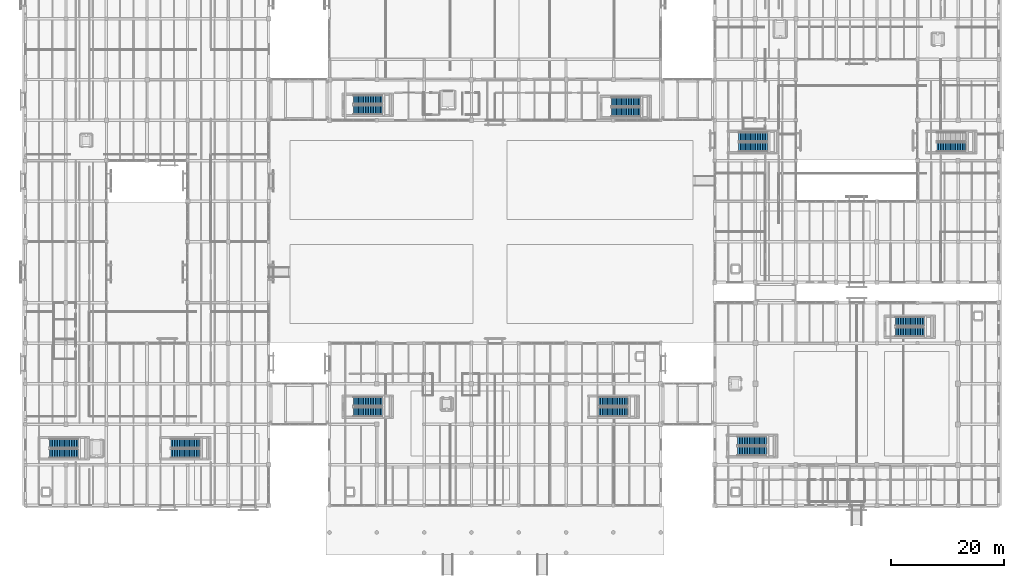
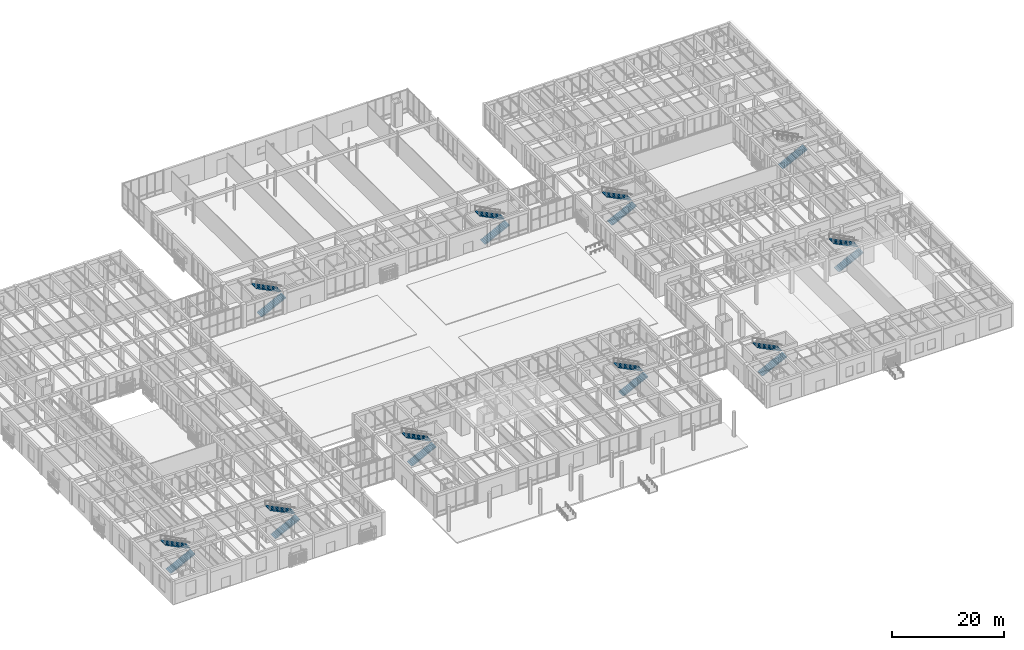
# One storey, part 134 of 169: 19 stair flights, 10 elements without a shape of their own.
"""IFC4 building model written with IfcOpenShell, lengths in metres."""

from ifc_helpers import new_model, si_unit, direction, frame, origin, place, context, subcontext, project, spatial, polyline, outline, extrude, material, type_object, element, aggregate, save


model = new_model("IFC4")

# Units and contexts
model_context = context("Model", 3, precision=1e-05, world=origin(), true_north=direction((0.0, 1.0)))
body_context = subcontext(model_context, "Body", "Model", "MODEL_VIEW")
ifc_project = project(units=[si_unit("LENGTHUNIT", "METRE"), si_unit("AREAUNIT", "SQUARE_METRE"), si_unit("VOLUMEUNIT", "CUBIC_METRE"), si_unit("PLANEANGLEUNIT", "RADIAN"), si_unit("MASSUNIT", "GRAM", prefix="KILO")], contexts=[model_context])

# Site, building, storey
site_placement = place(None, origin())
site = spatial("IfcSite", under=ifc_project, at=site_placement, CompositionType="ELEMENT")
building_placement = place(site_placement, origin())
building = spatial("IfcBuilding", under=site, at=building_placement, Name="Mazaris Harbour Polytechnic", CompositionType="ELEMENT")
storey_placement = place(building_placement, origin())
storey = spatial("IfcBuildingStorey", under=building, at=storey_placement, Name="L00", CompositionType="ELEMENT", Elevation=0.0)

# Stair, stair flights
ifc_material_1 = material(Name="Concrete C40/50", Category="concrete")
stair_type = type_object("IfcStairType", Name="Core Exit Stair H5400", PredefinedType="HALF_TURN_STAIR", material=ifc_material_1)
stair_1_placement = place(storey_placement, origin())
stair_1 = element("IfcStair", 1, at=stair_1_placement, inside=storey, type_object=stair_type, Name="L00 ST01", PredefinedType="HALF_TURN_STAIR")
ifc_material_2 = material(Name="Concrete C40/50", Category="concrete")
stair_flight_type = type_object("IfcStairFlightType", Name="RC Stair Flight W1650", PredefinedType="STRAIGHT", material=ifc_material_2)
stair_flight_1_placement = place(storey_placement, frame((58.25, 77.425048828125, 0.0), z_axis=(0.0, 0.0, 1.0), x_axis=(1.0, 0.0, 0.0)))
stair_flight_1 = element("IfcStairFlight", 2, at=stair_flight_1_placement, type_object=stair_flight_type, Name="ST01 flight 1", NumberOfRisers=18, NumberOfTreads=17, PredefinedType="STRAIGHT", RiserHeight=0.15, TreadLength=0.3, context=body_context, shape_type="SweptSolid", body=[
    extrude(outline(polyline([(0.0, 0.0), (0.0, 0.14990234375), (0.300048828125, 0.14990234375), (0.300048828125, 0.300048828125), (0.60009765625, 0.300048828125), (0.60009765625, 0.449951171875), (0.89990234375, 0.449951171875), (0.89990234375, 0.60009765625), (1.199951171875, 0.60009765625), (1.199951171875, 0.75), (1.5, 0.75), (1.5, 0.89990234375), (1.800048828125, 0.89990234375), (1.800048828125, 1.050048828125), (2.10009765625, 1.050048828125), (2.10009765625, 1.199951171875), (2.39990234375, 1.199951171875), (2.39990234375, 1.35009765625), (2.699951171875, 1.35009765625), (2.699951171875, 1.5), (3.0, 1.5), (3.0, 1.64990234375), (3.300048828125, 1.64990234375), (3.300048828125, 1.800048828125), (3.60009765625, 1.800048828125), (3.60009765625, 1.949951171875), (3.89990234375, 1.949951171875), (3.89990234375, 2.10009765625), (4.199951171875, 2.10009765625), (4.199951171875, 2.25), (4.5, 2.25), (4.5, 2.39990234375), (4.800048828125, 2.39990234375), (4.800048828125, 2.550048828125), (5.10009765625, 2.550048828125), (5.10009765625, 2.699951171875), (5.10009765625, 2.348876953125), (0.40234375, 0.0), (0.0, 0.0)])), frame((0.0, 0.824951171875, 0.0), z_axis=(0.0, -1.0, 0.0), x_axis=(1.0, 0.0, 0.0)), (0.0, 0.0, 1.0), 1.64990234375),
])
stair_flight_2_placement = place(storey_placement, frame((63.35009765625, 79.22509765625, 2.699951171875), z_axis=(0.0, 0.0, 1.0), x_axis=(-1.0, 0.0, 0.0)))
stair_flight_2 = element("IfcStairFlight", 3, at=stair_flight_2_placement, type_object=stair_flight_type, Name="ST01 flight 2", NumberOfRisers=18, NumberOfTreads=17, PredefinedType="STRAIGHT", RiserHeight=0.15, TreadLength=0.3, context=body_context, shape_type="SweptSolid", body=[
    extrude(outline(polyline([(0.0, 0.0), (0.0, 0.14990234375), (0.300048828125, 0.14990234375), (0.300048828125, 0.300048828125), (0.60009765625, 0.300048828125), (0.60009765625, 0.449951171875), (0.89990234375, 0.449951171875), (0.89990234375, 0.60009765625), (1.199951171875, 0.60009765625), (1.199951171875, 0.75), (1.5, 0.75), (1.5, 0.89990234375), (1.800048828125, 0.89990234375), (1.800048828125, 1.050048828125), (2.10009765625, 1.050048828125), (2.10009765625, 1.199951171875), (2.39990234375, 1.199951171875), (2.39990234375, 1.35009765625), (2.699951171875, 1.35009765625), (2.699951171875, 1.5), (3.0, 1.5), (3.0, 1.64990234375), (3.300048828125, 1.64990234375), (3.300048828125, 1.800048828125), (3.60009765625, 1.800048828125), (3.60009765625, 1.949951171875), (3.89990234375, 1.949951171875), (3.89990234375, 2.10009765625), (4.199951171875, 2.10009765625), (4.199951171875, 2.25), (4.5, 2.25), (4.5, 2.39990234375), (4.800048828125, 2.39990234375), (4.800048828125, 2.550048828125), (5.10009765625, 2.550048828125), (5.10009765625, 2.699951171875), (5.10009765625, 2.348876953125), (0.40234375, 0.0), (0.0, 0.0)])), frame((0.0, 0.824951171875, 0.0), z_axis=(0.0, -1.0, 0.0), x_axis=(1.0, 0.0, 0.0)), (0.0, 0.0, 1.0), 1.64990234375),
])
aggregate(stair_1, [stair_flight_1, stair_flight_2])

stair_2_placement = place(storey_placement, origin())
stair_2 = element("IfcStair", 4, at=stair_2_placement, inside=storey, type_object=stair_type, Name="L00 ST02", PredefinedType="HALF_TURN_STAIR")
stair_flight_3_placement = place(storey_placement, frame((104.050048828125, 77.02490234375, 0.0), z_axis=(0.0, 0.0, 1.0), x_axis=(1.0, 0.0, 0.0)))
stair_flight_3 = element("IfcStairFlight", 5, at=stair_flight_3_placement, type_object=stair_flight_type, Name="ST02 flight 1", NumberOfRisers=18, NumberOfTreads=17, PredefinedType="STRAIGHT", RiserHeight=0.15, TreadLength=0.3, context=body_context, shape_type="SweptSolid", body=[
    extrude(outline(polyline([(0.0, 0.0), (0.0, 0.14990234375), (0.300048828125, 0.14990234375), (0.300048828125, 0.300048828125), (0.60009765625, 0.300048828125), (0.60009765625, 0.449951171875), (0.89990234375, 0.449951171875), (0.89990234375, 0.60009765625), (1.199951171875, 0.60009765625), (1.199951171875, 0.75), (1.5, 0.75), (1.5, 0.89990234375), (1.800048828125, 0.89990234375), (1.800048828125, 1.050048828125), (2.10009765625, 1.050048828125), (2.10009765625, 1.199951171875), (2.39990234375, 1.199951171875), (2.39990234375, 1.35009765625), (2.699951171875, 1.35009765625), (2.699951171875, 1.5), (3.0, 1.5), (3.0, 1.64990234375), (3.300048828125, 1.64990234375), (3.300048828125, 1.800048828125), (3.60009765625, 1.800048828125), (3.60009765625, 1.949951171875), (3.89990234375, 1.949951171875), (3.89990234375, 2.10009765625), (4.199951171875, 2.10009765625), (4.199951171875, 2.25), (4.5, 2.25), (4.5, 2.39990234375), (4.800048828125, 2.39990234375), (4.800048828125, 2.550048828125), (5.10009765625, 2.550048828125), (5.10009765625, 2.699951171875), (5.10009765625, 2.348876953125), (0.40234375, 0.0), (0.0, 0.0)])), frame((0.0, 0.824951171875, 0.0), z_axis=(0.0, -1.0, 0.0), x_axis=(1.0, 0.0, 0.0)), (0.0, 0.0, 1.0), 1.64990234375),
])
stair_flight_4_placement = place(storey_placement, frame((109.14990234375, 78.824951171875, 2.699951171875), z_axis=(0.0, 0.0, 1.0), x_axis=(-1.0, 0.0, 0.0)))
stair_flight_4 = element("IfcStairFlight", 6, at=stair_flight_4_placement, type_object=stair_flight_type, Name="ST02 flight 2", NumberOfRisers=18, NumberOfTreads=17, PredefinedType="STRAIGHT", RiserHeight=0.15, TreadLength=0.3, context=body_context, shape_type="SweptSolid", body=[
    extrude(outline(polyline([(0.0, 0.0), (0.0, 0.14990234375), (0.300048828125, 0.14990234375), (0.300048828125, 0.300048828125), (0.60009765625, 0.300048828125), (0.60009765625, 0.449951171875), (0.89990234375, 0.449951171875), (0.89990234375, 0.60009765625), (1.199951171875, 0.60009765625), (1.199951171875, 0.75), (1.5, 0.75), (1.5, 0.89990234375), (1.800048828125, 0.89990234375), (1.800048828125, 1.050048828125), (2.10009765625, 1.050048828125), (2.10009765625, 1.199951171875), (2.39990234375, 1.199951171875), (2.39990234375, 1.35009765625), (2.699951171875, 1.35009765625), (2.699951171875, 1.5), (3.0, 1.5), (3.0, 1.64990234375), (3.300048828125, 1.64990234375), (3.300048828125, 1.800048828125), (3.60009765625, 1.800048828125), (3.60009765625, 1.949951171875), (3.89990234375, 1.949951171875), (3.89990234375, 2.10009765625), (4.199951171875, 2.10009765625), (4.199951171875, 2.25), (4.5, 2.25), (4.5, 2.39990234375), (4.800048828125, 2.39990234375), (4.800048828125, 2.550048828125), (5.10009765625, 2.550048828125), (5.10009765625, 2.699951171875), (5.10009765625, 2.348876953125), (0.40234375, 0.0), (0.0, 0.0)])), frame((0.0, 0.824951171875, 0.0), z_axis=(0.0, -1.0, 0.0), x_axis=(1.0, 0.0, 0.0)), (0.0, 0.0, 1.0), 1.64990234375),
])
aggregate(stair_2, [stair_flight_3, stair_flight_4])

stair_3_placement = place(storey_placement, origin())
stair_3 = element("IfcStair", 7, at=stair_3_placement, inside=storey, type_object=stair_type, Name="L00 ST03", PredefinedType="HALF_TURN_STAIR")
stair_flight_5_placement = place(storey_placement, frame((126.449951171875, 16.824951171875, 0.0), z_axis=(0.0, 0.0, 1.0), x_axis=(1.0, 0.0, 0.0)))
stair_flight_5 = element("IfcStairFlight", 8, at=stair_flight_5_placement, type_object=stair_flight_type, Name="ST03 flight 1", NumberOfRisers=18, NumberOfTreads=17, PredefinedType="STRAIGHT", RiserHeight=0.15, TreadLength=0.3, context=body_context, shape_type="SweptSolid", body=[
    extrude(outline(polyline([(0.0, 0.0), (0.0, 0.14990234375), (0.300048828125, 0.14990234375), (0.300048828125, 0.300048828125), (0.60009765625, 0.300048828125), (0.60009765625, 0.449951171875), (0.89990234375, 0.449951171875), (0.89990234375, 0.60009765625), (1.199951171875, 0.60009765625), (1.199951171875, 0.75), (1.5, 0.75), (1.5, 0.89990234375), (1.800048828125, 0.89990234375), (1.800048828125, 1.050048828125), (2.10009765625, 1.050048828125), (2.10009765625, 1.199951171875), (2.39990234375, 1.199951171875), (2.39990234375, 1.35009765625), (2.699951171875, 1.35009765625), (2.699951171875, 1.5), (3.0, 1.5), (3.0, 1.64990234375), (3.300048828125, 1.64990234375), (3.300048828125, 1.800048828125), (3.60009765625, 1.800048828125), (3.60009765625, 1.949951171875), (3.89990234375, 1.949951171875), (3.89990234375, 2.10009765625), (4.199951171875, 2.10009765625), (4.199951171875, 2.25), (4.5, 2.25), (4.5, 2.39990234375), (4.800048828125, 2.39990234375), (4.800048828125, 2.550048828125), (5.10009765625, 2.550048828125), (5.10009765625, 2.699951171875), (5.10009765625, 2.348876953125), (0.40234375, 0.0), (0.0, 0.0)])), frame((0.0, 0.824951171875, 0.0), z_axis=(0.0, -1.0, 0.0), x_axis=(1.0, 0.0, 0.0)), (0.0, 0.0, 1.0), 1.64990234375),
])
stair_flight_6_placement = place(storey_placement, frame((131.550048828125, 18.625, 2.699951171875), z_axis=(0.0, 0.0, 1.0), x_axis=(-1.0, 0.0, 0.0)))
stair_flight_6 = element("IfcStairFlight", 9, at=stair_flight_6_placement, type_object=stair_flight_type, Name="ST03 flight 2", NumberOfRisers=18, NumberOfTreads=17, PredefinedType="STRAIGHT", RiserHeight=0.15, TreadLength=0.3, context=body_context, shape_type="SweptSolid", body=[
    extrude(outline(polyline([(0.0, 0.0), (0.0, 0.14990234375), (0.300048828125, 0.14990234375), (0.300048828125, 0.300048828125), (0.60009765625, 0.300048828125), (0.60009765625, 0.449951171875), (0.89990234375, 0.449951171875), (0.89990234375, 0.60009765625), (1.199951171875, 0.60009765625), (1.199951171875, 0.75), (1.5, 0.75), (1.5, 0.89990234375), (1.800048828125, 0.89990234375), (1.800048828125, 1.050048828125), (2.10009765625, 1.050048828125), (2.10009765625, 1.199951171875), (2.39990234375, 1.199951171875), (2.39990234375, 1.35009765625), (2.699951171875, 1.35009765625), (2.699951171875, 1.5), (3.0, 1.5), (3.0, 1.64990234375), (3.300048828125, 1.64990234375), (3.300048828125, 1.800048828125), (3.60009765625, 1.800048828125), (3.60009765625, 1.949951171875), (3.89990234375, 1.949951171875), (3.89990234375, 2.10009765625), (4.199951171875, 2.10009765625), (4.199951171875, 2.25), (4.5, 2.25), (4.5, 2.39990234375), (4.800048828125, 2.39990234375), (4.800048828125, 2.550048828125), (5.10009765625, 2.550048828125), (5.10009765625, 2.699951171875), (5.10009765625, 2.348876953125), (0.40234375, 0.0), (0.0, 0.0)])), frame((0.0, 0.824951171875, 0.0), z_axis=(0.0, -1.0, 0.0), x_axis=(1.0, 0.0, 0.0)), (0.0, 0.0, 1.0), 1.64990234375),
])
aggregate(stair_3, [stair_flight_5, stair_flight_6])

stair_4_placement = place(storey_placement, origin())
stair_4 = element("IfcStair", 10, at=stair_4_placement, inside=storey, type_object=stair_type, Name="L00 ST04", PredefinedType="HALF_TURN_STAIR")
stair_flight_7_placement = place(storey_placement, frame((154.449951171875, 38.02490234375, 0.0), z_axis=(0.0, 0.0, 1.0), x_axis=(1.0, 0.0, 0.0)))
stair_flight_7 = element("IfcStairFlight", 11, at=stair_flight_7_placement, type_object=stair_flight_type, Name="ST04 flight 1", NumberOfRisers=18, NumberOfTreads=17, PredefinedType="STRAIGHT", RiserHeight=0.15, TreadLength=0.3, context=body_context, shape_type="SweptSolid", body=[
    extrude(outline(polyline([(0.0, 0.0), (0.0, 0.14990234375), (0.300048828125, 0.14990234375), (0.300048828125, 0.300048828125), (0.60009765625, 0.300048828125), (0.60009765625, 0.449951171875), (0.89990234375, 0.449951171875), (0.89990234375, 0.60009765625), (1.199951171875, 0.60009765625), (1.199951171875, 0.75), (1.5, 0.75), (1.5, 0.89990234375), (1.800048828125, 0.89990234375), (1.800048828125, 1.050048828125), (2.10009765625, 1.050048828125), (2.10009765625, 1.199951171875), (2.39990234375, 1.199951171875), (2.39990234375, 1.35009765625), (2.699951171875, 1.35009765625), (2.699951171875, 1.5), (3.0, 1.5), (3.0, 1.64990234375), (3.300048828125, 1.64990234375), (3.300048828125, 1.800048828125), (3.60009765625, 1.800048828125), (3.60009765625, 1.949951171875), (3.89990234375, 1.949951171875), (3.89990234375, 2.10009765625), (4.199951171875, 2.10009765625), (4.199951171875, 2.25), (4.5, 2.25), (4.5, 2.39990234375), (4.800048828125, 2.39990234375), (4.800048828125, 2.550048828125), (5.10009765625, 2.550048828125), (5.10009765625, 2.699951171875), (5.10009765625, 2.348876953125), (0.40234375, 0.0), (0.0, 0.0)])), frame((0.0, 0.824951171875, 0.0), z_axis=(0.0, -1.0, 0.0), x_axis=(1.0, 0.0, 0.0)), (0.0, 0.0, 1.0), 1.64990234375),
])
stair_flight_8_placement = place(storey_placement, frame((159.550048828125, 39.824951171875, 2.699951171875), z_axis=(0.0, 0.0, 1.0), x_axis=(-1.0, 0.0, 0.0)))
stair_flight_8 = element("IfcStairFlight", 12, at=stair_flight_8_placement, type_object=stair_flight_type, Name="ST04 flight 2", NumberOfRisers=18, NumberOfTreads=17, PredefinedType="STRAIGHT", RiserHeight=0.15, TreadLength=0.3, context=body_context, shape_type="SweptSolid", body=[
    extrude(outline(polyline([(0.0, 0.0), (0.0, 0.14990234375), (0.300048828125, 0.14990234375), (0.300048828125, 0.300048828125), (0.60009765625, 0.300048828125), (0.60009765625, 0.449951171875), (0.89990234375, 0.449951171875), (0.89990234375, 0.60009765625), (1.199951171875, 0.60009765625), (1.199951171875, 0.75), (1.5, 0.75), (1.5, 0.89990234375), (1.800048828125, 0.89990234375), (1.800048828125, 1.050048828125), (2.10009765625, 1.050048828125), (2.10009765625, 1.199951171875), (2.39990234375, 1.199951171875), (2.39990234375, 1.35009765625), (2.699951171875, 1.35009765625), (2.699951171875, 1.5), (3.0, 1.5), (3.0, 1.64990234375), (3.300048828125, 1.64990234375), (3.300048828125, 1.800048828125), (3.60009765625, 1.800048828125), (3.60009765625, 1.949951171875), (3.89990234375, 1.949951171875), (3.89990234375, 2.10009765625), (4.199951171875, 2.10009765625), (4.199951171875, 2.25), (4.5, 2.25), (4.5, 2.39990234375), (4.800048828125, 2.39990234375), (4.800048828125, 2.550048828125), (5.10009765625, 2.550048828125), (5.10009765625, 2.699951171875), (5.10009765625, 2.348876953125), (0.40234375, 0.0), (0.0, 0.0)])), frame((0.0, 0.824951171875, 0.0), z_axis=(0.0, -1.0, 0.0), x_axis=(1.0, 0.0, 0.0)), (0.0, 0.0, 1.0), 1.64990234375),
])
aggregate(stair_4, [stair_flight_7, stair_flight_8])

stair_5_placement = place(storey_placement, origin())
stair_5 = element("IfcStair", 13, at=stair_5_placement, inside=storey, type_object=stair_type, Name="L00 ST05", PredefinedType="HALF_TURN_STAIR")
stair_flight_9_placement = place(storey_placement, frame((58.25, 23.824951171875, 0.0), z_axis=(0.0, 0.0, 1.0), x_axis=(1.0, 0.0, 0.0)))
stair_flight_9 = element("IfcStairFlight", 14, at=stair_flight_9_placement, type_object=stair_flight_type, Name="ST05 flight 1", NumberOfRisers=18, NumberOfTreads=17, PredefinedType="STRAIGHT", RiserHeight=0.15, TreadLength=0.3, context=body_context, shape_type="SweptSolid", body=[
    extrude(outline(polyline([(0.0, 0.0), (0.0, 0.14990234375), (0.300048828125, 0.14990234375), (0.300048828125, 0.300048828125), (0.60009765625, 0.300048828125), (0.60009765625, 0.449951171875), (0.89990234375, 0.449951171875), (0.89990234375, 0.60009765625), (1.199951171875, 0.60009765625), (1.199951171875, 0.75), (1.5, 0.75), (1.5, 0.89990234375), (1.800048828125, 0.89990234375), (1.800048828125, 1.050048828125), (2.10009765625, 1.050048828125), (2.10009765625, 1.199951171875), (2.39990234375, 1.199951171875), (2.39990234375, 1.35009765625), (2.699951171875, 1.35009765625), (2.699951171875, 1.5), (3.0, 1.5), (3.0, 1.64990234375), (3.300048828125, 1.64990234375), (3.300048828125, 1.800048828125), (3.60009765625, 1.800048828125), (3.60009765625, 1.949951171875), (3.89990234375, 1.949951171875), (3.89990234375, 2.10009765625), (4.199951171875, 2.10009765625), (4.199951171875, 2.25), (4.5, 2.25), (4.5, 2.39990234375), (4.800048828125, 2.39990234375), (4.800048828125, 2.550048828125), (5.10009765625, 2.550048828125), (5.10009765625, 2.699951171875), (5.10009765625, 2.348876953125), (0.40234375, 0.0), (0.0, 0.0)])), frame((0.0, 0.824951171875, 0.0), z_axis=(0.0, -1.0, 0.0), x_axis=(1.0, 0.0, 0.0)), (0.0, 0.0, 1.0), 1.64990234375),
])
stair_flight_10_placement = place(storey_placement, frame((63.35009765625, 25.625, 2.699951171875), z_axis=(0.0, 0.0, 1.0), x_axis=(-1.0, 0.0, 0.0)))
stair_flight_10 = element("IfcStairFlight", 15, at=stair_flight_10_placement, type_object=stair_flight_type, Name="ST05 flight 2", NumberOfRisers=18, NumberOfTreads=17, PredefinedType="STRAIGHT", RiserHeight=0.15, TreadLength=0.3, context=body_context, shape_type="SweptSolid", body=[
    extrude(outline(polyline([(0.0, 0.0), (0.0, 0.14990234375), (0.300048828125, 0.14990234375), (0.300048828125, 0.300048828125), (0.60009765625, 0.300048828125), (0.60009765625, 0.449951171875), (0.89990234375, 0.449951171875), (0.89990234375, 0.60009765625), (1.199951171875, 0.60009765625), (1.199951171875, 0.75), (1.5, 0.75), (1.5, 0.89990234375), (1.800048828125, 0.89990234375), (1.800048828125, 1.050048828125), (2.10009765625, 1.050048828125), (2.10009765625, 1.199951171875), (2.39990234375, 1.199951171875), (2.39990234375, 1.35009765625), (2.699951171875, 1.35009765625), (2.699951171875, 1.5), (3.0, 1.5), (3.0, 1.64990234375), (3.300048828125, 1.64990234375), (3.300048828125, 1.800048828125), (3.60009765625, 1.800048828125), (3.60009765625, 1.949951171875), (3.89990234375, 1.949951171875), (3.89990234375, 2.10009765625), (4.199951171875, 2.10009765625), (4.199951171875, 2.25), (4.5, 2.25), (4.5, 2.39990234375), (4.800048828125, 2.39990234375), (4.800048828125, 2.550048828125), (5.10009765625, 2.550048828125), (5.10009765625, 2.699951171875), (5.10009765625, 2.348876953125), (0.40234375, 0.0), (0.0, 0.0)])), frame((0.0, 0.824951171875, 0.0), z_axis=(0.0, -1.0, 0.0), x_axis=(1.0, 0.0, 0.0)), (0.0, 0.0, 1.0), 1.64990234375),
])
aggregate(stair_5, [stair_flight_9, stair_flight_10])

stair_6_placement = place(storey_placement, origin())
stair_6 = element("IfcStair", 16, at=stair_6_placement, inside=storey, type_object=stair_type, Name="L00 ST06", PredefinedType="HALF_TURN_STAIR")
stair_flight_11_placement = place(storey_placement, frame((101.85009765625, 23.824951171875, 0.0), z_axis=(0.0, 0.0, 1.0), x_axis=(1.0, 0.0, 0.0)))
stair_flight_11 = element("IfcStairFlight", 17, at=stair_flight_11_placement, type_object=stair_flight_type, Name="ST06 flight 1", NumberOfRisers=18, NumberOfTreads=17, PredefinedType="STRAIGHT", RiserHeight=0.15, TreadLength=0.3, context=body_context, shape_type="SweptSolid", body=[
    extrude(outline(polyline([(0.0, 0.0), (0.0, 0.14990234375), (0.300048828125, 0.14990234375), (0.300048828125, 0.300048828125), (0.60009765625, 0.300048828125), (0.60009765625, 0.449951171875), (0.89990234375, 0.449951171875), (0.89990234375, 0.60009765625), (1.199951171875, 0.60009765625), (1.199951171875, 0.75), (1.5, 0.75), (1.5, 0.89990234375), (1.800048828125, 0.89990234375), (1.800048828125, 1.050048828125), (2.10009765625, 1.050048828125), (2.10009765625, 1.199951171875), (2.39990234375, 1.199951171875), (2.39990234375, 1.35009765625), (2.699951171875, 1.35009765625), (2.699951171875, 1.5), (3.0, 1.5), (3.0, 1.64990234375), (3.300048828125, 1.64990234375), (3.300048828125, 1.800048828125), (3.60009765625, 1.800048828125), (3.60009765625, 1.949951171875), (3.89990234375, 1.949951171875), (3.89990234375, 2.10009765625), (4.199951171875, 2.10009765625), (4.199951171875, 2.25), (4.5, 2.25), (4.5, 2.39990234375), (4.800048828125, 2.39990234375), (4.800048828125, 2.550048828125), (5.10009765625, 2.550048828125), (5.10009765625, 2.699951171875), (5.10009765625, 2.348876953125), (0.40234375, 0.0), (0.0, 0.0)])), frame((0.0, 0.824951171875, 0.0), z_axis=(0.0, -1.0, 0.0), x_axis=(1.0, 0.0, 0.0)), (0.0, 0.0, 1.0), 1.64990234375),
])
stair_flight_12_placement = place(storey_placement, frame((106.949951171875, 25.625, 2.699951171875), z_axis=(0.0, 0.0, 1.0), x_axis=(-1.0, 0.0, 0.0)))
stair_flight_12 = element("IfcStairFlight", 18, at=stair_flight_12_placement, type_object=stair_flight_type, Name="ST06 flight 2", NumberOfRisers=18, NumberOfTreads=17, PredefinedType="STRAIGHT", RiserHeight=0.15, TreadLength=0.3, context=body_context, shape_type="SweptSolid", body=[
    extrude(outline(polyline([(0.0, 0.0), (0.0, 0.14990234375), (0.300048828125, 0.14990234375), (0.300048828125, 0.300048828125), (0.60009765625, 0.300048828125), (0.60009765625, 0.449951171875), (0.89990234375, 0.449951171875), (0.89990234375, 0.60009765625), (1.199951171875, 0.60009765625), (1.199951171875, 0.75), (1.5, 0.75), (1.5, 0.89990234375), (1.800048828125, 0.89990234375), (1.800048828125, 1.050048828125), (2.10009765625, 1.050048828125), (2.10009765625, 1.199951171875), (2.39990234375, 1.199951171875), (2.39990234375, 1.35009765625), (2.699951171875, 1.35009765625), (2.699951171875, 1.5), (3.0, 1.5), (3.0, 1.64990234375), (3.300048828125, 1.64990234375), (3.300048828125, 1.800048828125), (3.60009765625, 1.800048828125), (3.60009765625, 1.949951171875), (3.89990234375, 1.949951171875), (3.89990234375, 2.10009765625), (4.199951171875, 2.10009765625), (4.199951171875, 2.25), (4.5, 2.25), (4.5, 2.39990234375), (4.800048828125, 2.39990234375), (4.800048828125, 2.550048828125), (5.10009765625, 2.550048828125), (5.10009765625, 2.699951171875), (5.10009765625, 2.348876953125), (0.40234375, 0.0), (0.0, 0.0)])), frame((0.0, 0.824951171875, 0.0), z_axis=(0.0, -1.0, 0.0), x_axis=(1.0, 0.0, 0.0)), (0.0, 0.0, 1.0), 1.64990234375),
])
aggregate(stair_6, [stair_flight_11, stair_flight_12])

stair_7_placement = place(storey_placement, origin())
stair_7 = element("IfcStair", 19, at=stair_7_placement, inside=storey, type_object=stair_type, Name="L00 ST07", PredefinedType="HALF_TURN_STAIR")
stair_flight_13_placement = place(storey_placement, frame((4.25, 16.425048828125, 0.0), z_axis=(0.0, 0.0, 1.0), x_axis=(1.0, 0.0, 0.0)))
stair_flight_13 = element("IfcStairFlight", 20, at=stair_flight_13_placement, type_object=stair_flight_type, Name="ST07 flight 1", NumberOfRisers=18, NumberOfTreads=17, PredefinedType="STRAIGHT", RiserHeight=0.15, TreadLength=0.3, context=body_context, shape_type="SweptSolid", body=[
    extrude(outline(polyline([(0.0, 0.0), (0.0, 0.14990234375), (0.300048828125, 0.14990234375), (0.300048828125, 0.300048828125), (0.60009765625, 0.300048828125), (0.60009765625, 0.449951171875), (0.89990234375, 0.449951171875), (0.89990234375, 0.60009765625), (1.199951171875, 0.60009765625), (1.199951171875, 0.75), (1.5, 0.75), (1.5, 0.89990234375), (1.800048828125, 0.89990234375), (1.800048828125, 1.050048828125), (2.10009765625, 1.050048828125), (2.10009765625, 1.199951171875), (2.39990234375, 1.199951171875), (2.39990234375, 1.35009765625), (2.699951171875, 1.35009765625), (2.699951171875, 1.5), (3.0, 1.5), (3.0, 1.64990234375), (3.300048828125, 1.64990234375), (3.300048828125, 1.800048828125), (3.60009765625, 1.800048828125), (3.60009765625, 1.949951171875), (3.89990234375, 1.949951171875), (3.89990234375, 2.10009765625), (4.199951171875, 2.10009765625), (4.199951171875, 2.25), (4.5, 2.25), (4.5, 2.39990234375), (4.800048828125, 2.39990234375), (4.800048828125, 2.550048828125), (5.10009765625, 2.550048828125), (5.10009765625, 2.699951171875), (5.10009765625, 2.348876953125), (0.40234375, 0.0), (0.0, 0.0)])), frame((0.0, 0.824951171875, 0.0), z_axis=(0.0, -1.0, 0.0), x_axis=(1.0, 0.0, 0.0)), (0.0, 0.0, 1.0), 1.64990234375),
])
stair_flight_14_placement = place(storey_placement, frame((9.35009765625, 18.22509765625, 2.699951171875), z_axis=(0.0, 0.0, 1.0), x_axis=(-1.0, 0.0, 0.0)))
stair_flight_14 = element("IfcStairFlight", 21, at=stair_flight_14_placement, type_object=stair_flight_type, Name="ST07 flight 2", NumberOfRisers=18, NumberOfTreads=17, PredefinedType="STRAIGHT", RiserHeight=0.15, TreadLength=0.3, context=body_context, shape_type="SweptSolid", body=[
    extrude(outline(polyline([(0.0, 0.0), (0.0, 0.14990234375), (0.300048828125, 0.14990234375), (0.300048828125, 0.300048828125), (0.60009765625, 0.300048828125), (0.60009765625, 0.449951171875), (0.89990234375, 0.449951171875), (0.89990234375, 0.60009765625), (1.199951171875, 0.60009765625), (1.199951171875, 0.75), (1.5, 0.75), (1.5, 0.89990234375), (1.800048828125, 0.89990234375), (1.800048828125, 1.050048828125), (2.10009765625, 1.050048828125), (2.10009765625, 1.199951171875), (2.39990234375, 1.199951171875), (2.39990234375, 1.35009765625), (2.699951171875, 1.35009765625), (2.699951171875, 1.5), (3.0, 1.5), (3.0, 1.64990234375), (3.300048828125, 1.64990234375), (3.300048828125, 1.800048828125), (3.60009765625, 1.800048828125), (3.60009765625, 1.949951171875), (3.89990234375, 1.949951171875), (3.89990234375, 2.10009765625), (4.199951171875, 2.10009765625), (4.199951171875, 2.25), (4.5, 2.25), (4.5, 2.39990234375), (4.800048828125, 2.39990234375), (4.800048828125, 2.550048828125), (5.10009765625, 2.550048828125), (5.10009765625, 2.699951171875), (5.10009765625, 2.348876953125), (0.40234375, 0.0), (0.0, 0.0)])), frame((0.0, 0.824951171875, 0.0), z_axis=(0.0, -1.0, 0.0), x_axis=(1.0, 0.0, 0.0)), (0.0, 0.0, 1.0), 1.64990234375),
])
aggregate(stair_7, [stair_flight_13, stair_flight_14])

stair_8_placement = place(storey_placement, origin())
stair_8 = element("IfcStair", 22, at=stair_8_placement, inside=storey, type_object=stair_type, Name="L00 ST08", PredefinedType="HALF_TURN_STAIR")
stair_flight_15_placement = place(storey_placement, frame((25.85009765625, 16.425048828125, 0.0), z_axis=(0.0, 0.0, 1.0), x_axis=(1.0, 0.0, 0.0)))
stair_flight_15 = element("IfcStairFlight", 23, at=stair_flight_15_placement, type_object=stair_flight_type, Name="ST08 flight 1", NumberOfRisers=18, NumberOfTreads=17, PredefinedType="STRAIGHT", RiserHeight=0.15, TreadLength=0.3, context=body_context, shape_type="SweptSolid", body=[
    extrude(outline(polyline([(0.0, 0.0), (0.0, 0.14990234375), (0.300048828125, 0.14990234375), (0.300048828125, 0.300048828125), (0.60009765625, 0.300048828125), (0.60009765625, 0.449951171875), (0.89990234375, 0.449951171875), (0.89990234375, 0.60009765625), (1.199951171875, 0.60009765625), (1.199951171875, 0.75), (1.5, 0.75), (1.5, 0.89990234375), (1.800048828125, 0.89990234375), (1.800048828125, 1.050048828125), (2.10009765625, 1.050048828125), (2.10009765625, 1.199951171875), (2.39990234375, 1.199951171875), (2.39990234375, 1.35009765625), (2.699951171875, 1.35009765625), (2.699951171875, 1.5), (3.0, 1.5), (3.0, 1.64990234375), (3.300048828125, 1.64990234375), (3.300048828125, 1.800048828125), (3.60009765625, 1.800048828125), (3.60009765625, 1.949951171875), (3.89990234375, 1.949951171875), (3.89990234375, 2.10009765625), (4.199951171875, 2.10009765625), (4.199951171875, 2.25), (4.5, 2.25), (4.5, 2.39990234375), (4.800048828125, 2.39990234375), (4.800048828125, 2.550048828125), (5.10009765625, 2.550048828125), (5.10009765625, 2.699951171875), (5.10009765625, 2.348876953125), (0.40234375, 0.0), (0.0, 0.0)])), frame((0.0, 0.824951171875, 0.0), z_axis=(0.0, -1.0, 0.0), x_axis=(1.0, 0.0, 0.0)), (0.0, 0.0, 1.0), 1.64990234375),
])
stair_flight_16_placement = place(storey_placement, frame((30.949951171875, 18.22509765625, 2.699951171875), z_axis=(0.0, 0.0, 1.0), x_axis=(-1.0, 0.0, 0.0)))
stair_flight_16 = element("IfcStairFlight", 24, at=stair_flight_16_placement, type_object=stair_flight_type, Name="ST08 flight 2", NumberOfRisers=18, NumberOfTreads=17, PredefinedType="STRAIGHT", RiserHeight=0.15, TreadLength=0.3, context=body_context, shape_type="SweptSolid", body=[
    extrude(outline(polyline([(0.0, 0.0), (0.0, 0.14990234375), (0.300048828125, 0.14990234375), (0.300048828125, 0.300048828125), (0.60009765625, 0.300048828125), (0.60009765625, 0.449951171875), (0.89990234375, 0.449951171875), (0.89990234375, 0.60009765625), (1.199951171875, 0.60009765625), (1.199951171875, 0.75), (1.5, 0.75), (1.5, 0.89990234375), (1.800048828125, 0.89990234375), (1.800048828125, 1.050048828125), (2.10009765625, 1.050048828125), (2.10009765625, 1.199951171875), (2.39990234375, 1.199951171875), (2.39990234375, 1.35009765625), (2.699951171875, 1.35009765625), (2.699951171875, 1.5), (3.0, 1.5), (3.0, 1.64990234375), (3.300048828125, 1.64990234375), (3.300048828125, 1.800048828125), (3.60009765625, 1.800048828125), (3.60009765625, 1.949951171875), (3.89990234375, 1.949951171875), (3.89990234375, 2.10009765625), (4.199951171875, 2.10009765625), (4.199951171875, 2.25), (4.5, 2.25), (4.5, 2.39990234375), (4.800048828125, 2.39990234375), (4.800048828125, 2.550048828125), (5.10009765625, 2.550048828125), (5.10009765625, 2.699951171875), (5.10009765625, 2.348876953125), (0.40234375, 0.0), (0.0, 0.0)])), frame((0.0, 0.824951171875, 0.0), z_axis=(0.0, -1.0, 0.0), x_axis=(1.0, 0.0, 0.0)), (0.0, 0.0, 1.0), 1.64990234375),
])
aggregate(stair_8, [stair_flight_15, stair_flight_16])

stair_9_placement = place(storey_placement, origin())
stair_9 = element("IfcStair", 25, at=stair_9_placement, inside=storey, type_object=stair_type, Name="L00 ST09", PredefinedType="HALF_TURN_STAIR")
stair_flight_17_placement = place(storey_placement, frame((126.64990234375, 70.824951171875, 0.0), z_axis=(0.0, 0.0, 1.0), x_axis=(1.0, 0.0, 0.0)))
stair_flight_17 = element("IfcStairFlight", 26, at=stair_flight_17_placement, type_object=stair_flight_type, Name="ST09 flight 1", NumberOfRisers=18, NumberOfTreads=17, PredefinedType="STRAIGHT", RiserHeight=0.15, TreadLength=0.3, context=body_context, shape_type="SweptSolid", body=[
    extrude(outline(polyline([(0.0, 0.0), (0.0, 0.14990234375), (0.300048828125, 0.14990234375), (0.300048828125, 0.300048828125), (0.60009765625, 0.300048828125), (0.60009765625, 0.449951171875), (0.89990234375, 0.449951171875), (0.89990234375, 0.60009765625), (1.199951171875, 0.60009765625), (1.199951171875, 0.75), (1.5, 0.75), (1.5, 0.89990234375), (1.800048828125, 0.89990234375), (1.800048828125, 1.050048828125), (2.10009765625, 1.050048828125), (2.10009765625, 1.199951171875), (2.39990234375, 1.199951171875), (2.39990234375, 1.35009765625), (2.699951171875, 1.35009765625), (2.699951171875, 1.5), (3.0, 1.5), (3.0, 1.64990234375), (3.300048828125, 1.64990234375), (3.300048828125, 1.800048828125), (3.60009765625, 1.800048828125), (3.60009765625, 1.949951171875), (3.89990234375, 1.949951171875), (3.89990234375, 2.10009765625), (4.199951171875, 2.10009765625), (4.199951171875, 2.25), (4.5, 2.25), (4.5, 2.39990234375), (4.800048828125, 2.39990234375), (4.800048828125, 2.550048828125), (5.10009765625, 2.550048828125), (5.10009765625, 2.699951171875), (5.10009765625, 2.348876953125), (0.40234375, 0.0), (0.0, 0.0)])), frame((0.0, 0.824951171875, 0.0), z_axis=(0.0, -1.0, 0.0), x_axis=(1.0, 0.0, 0.0)), (0.0, 0.0, 1.0), 1.64990234375),
])
stair_flight_18_placement = place(storey_placement, frame((131.75, 72.625, 2.699951171875), z_axis=(0.0, 0.0, 1.0), x_axis=(-1.0, 0.0, 0.0)))
stair_flight_18 = element("IfcStairFlight", 27, at=stair_flight_18_placement, type_object=stair_flight_type, Name="ST09 flight 2", NumberOfRisers=18, NumberOfTreads=17, PredefinedType="STRAIGHT", RiserHeight=0.15, TreadLength=0.3, context=body_context, shape_type="SweptSolid", body=[
    extrude(outline(polyline([(0.0, 0.0), (0.0, 0.14990234375), (0.300048828125, 0.14990234375), (0.300048828125, 0.300048828125), (0.60009765625, 0.300048828125), (0.60009765625, 0.449951171875), (0.89990234375, 0.449951171875), (0.89990234375, 0.60009765625), (1.199951171875, 0.60009765625), (1.199951171875, 0.75), (1.5, 0.75), (1.5, 0.89990234375), (1.800048828125, 0.89990234375), (1.800048828125, 1.050048828125), (2.10009765625, 1.050048828125), (2.10009765625, 1.199951171875), (2.39990234375, 1.199951171875), (2.39990234375, 1.35009765625), (2.699951171875, 1.35009765625), (2.699951171875, 1.5), (3.0, 1.5), (3.0, 1.64990234375), (3.300048828125, 1.64990234375), (3.300048828125, 1.800048828125), (3.60009765625, 1.800048828125), (3.60009765625, 1.949951171875), (3.89990234375, 1.949951171875), (3.89990234375, 2.10009765625), (4.199951171875, 2.10009765625), (4.199951171875, 2.25), (4.5, 2.25), (4.5, 2.39990234375), (4.800048828125, 2.39990234375), (4.800048828125, 2.550048828125), (5.10009765625, 2.550048828125), (5.10009765625, 2.699951171875), (5.10009765625, 2.348876953125), (0.40234375, 0.0), (0.0, 0.0)])), frame((0.0, 0.824951171875, 0.0), z_axis=(0.0, -1.0, 0.0), x_axis=(1.0, 0.0, 0.0)), (0.0, 0.0, 1.0), 1.64990234375),
])
aggregate(stair_9, [stair_flight_17, stair_flight_18])

# Stair, stair flight
stair_10_placement = place(storey_placement, origin())
stair_10 = element("IfcStair", 28, at=stair_10_placement, inside=storey, type_object=stair_type, Name="L00 ST10", PredefinedType="HALF_TURN_STAIR")
stair_flight_19_placement = place(storey_placement, frame((161.85009765625, 70.824951171875, 0.0), z_axis=(0.0, 0.0, 1.0), x_axis=(1.0, 0.0, 0.0)))
stair_flight_19 = element("IfcStairFlight", 29, at=stair_flight_19_placement, type_object=stair_flight_type, Name="ST10 flight 1", NumberOfRisers=18, NumberOfTreads=17, PredefinedType="STRAIGHT", RiserHeight=0.15, TreadLength=0.3, context=body_context, shape_type="SweptSolid", body=[
    extrude(outline(polyline([(0.0, 0.0), (0.0, 0.14990234375), (0.300048828125, 0.14990234375), (0.300048828125, 0.300048828125), (0.60009765625, 0.300048828125), (0.60009765625, 0.449951171875), (0.89990234375, 0.449951171875), (0.89990234375, 0.60009765625), (1.199951171875, 0.60009765625), (1.199951171875, 0.75), (1.5, 0.75), (1.5, 0.89990234375), (1.800048828125, 0.89990234375), (1.800048828125, 1.050048828125), (2.10009765625, 1.050048828125), (2.10009765625, 1.199951171875), (2.39990234375, 1.199951171875), (2.39990234375, 1.35009765625), (2.699951171875, 1.35009765625), (2.699951171875, 1.5), (3.0, 1.5), (3.0, 1.64990234375), (3.300048828125, 1.64990234375), (3.300048828125, 1.800048828125), (3.60009765625, 1.800048828125), (3.60009765625, 1.949951171875), (3.89990234375, 1.949951171875), (3.89990234375, 2.10009765625), (4.199951171875, 2.10009765625), (4.199951171875, 2.25), (4.5, 2.25), (4.5, 2.39990234375), (4.800048828125, 2.39990234375), (4.800048828125, 2.550048828125), (5.10009765625, 2.550048828125), (5.10009765625, 2.699951171875), (5.10009765625, 2.348876953125), (0.40234375, 0.0), (0.0, 0.0)])), frame((0.0, 0.824951171875, 0.0), z_axis=(0.0, -1.0, 0.0), x_axis=(1.0, 0.0, 0.0)), (0.0, 0.0, 1.0), 1.64990234375),
])
aggregate(stair_10, [stair_flight_19])

save(model, "model.ifc")
